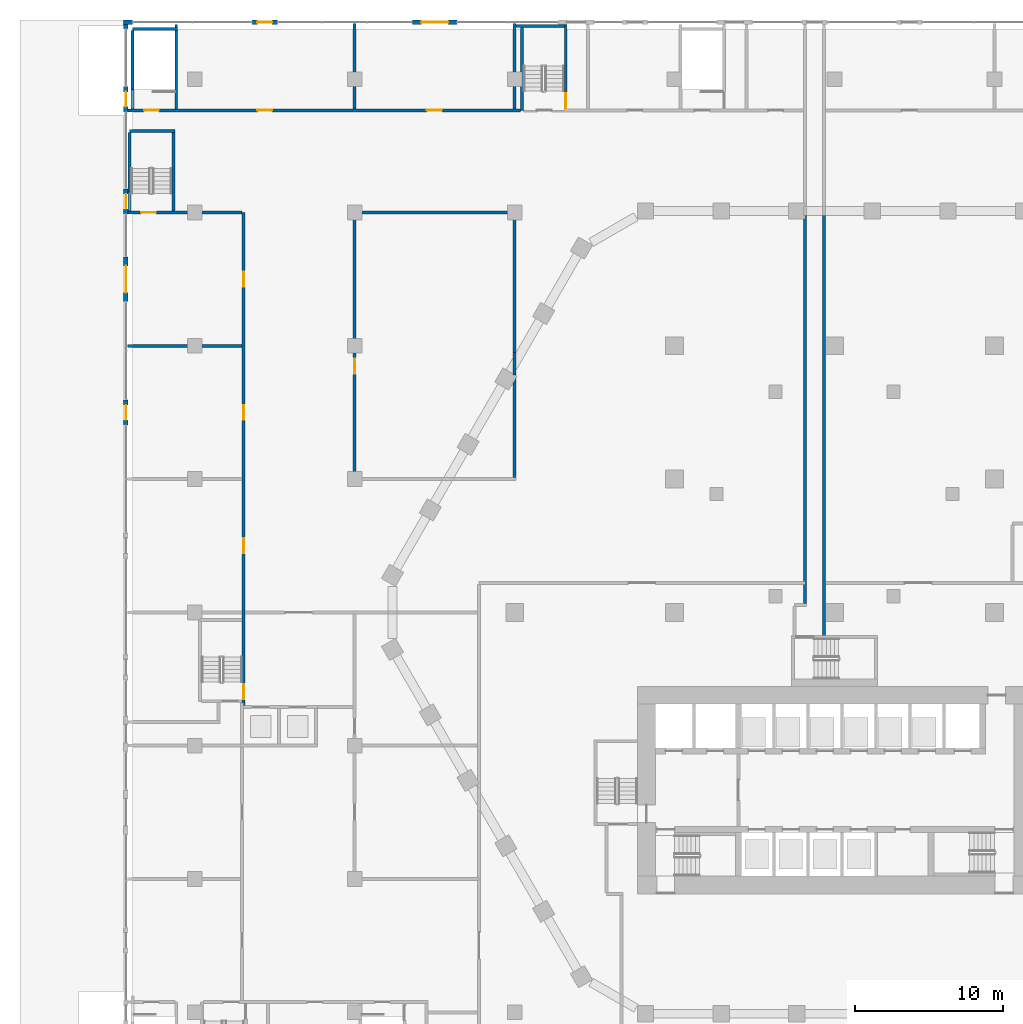
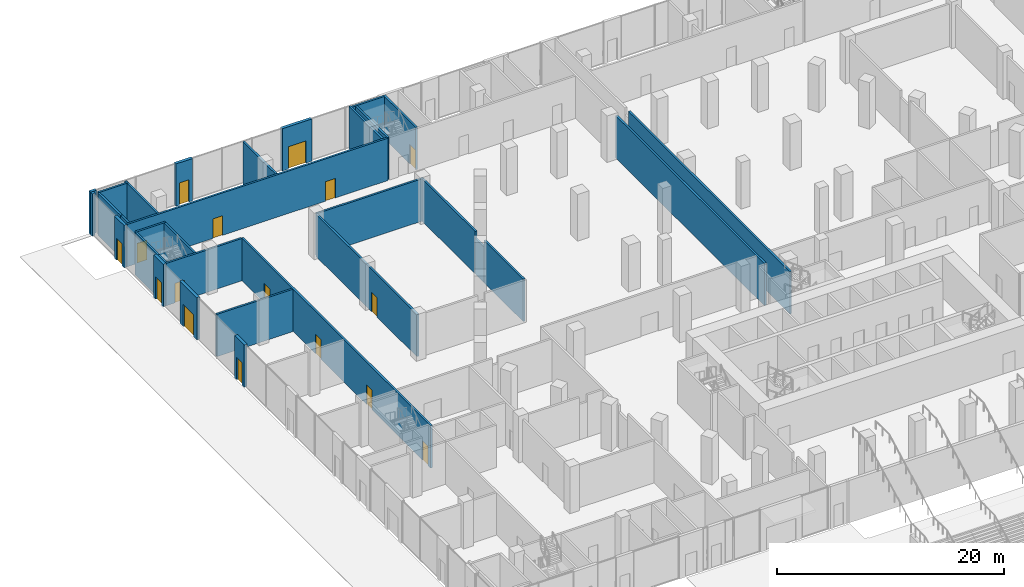
# One storey, part 26 of 57: 32 walls, 16 doors, 16 openings.
"""IFC4 building model written with IfcOpenShell, lengths in metres."""

from ifc_helpers import new_model, si_unit, direction, frame, frame_2d, origin, place, context, subcontext, project, spatial, rectangle, extrude, material, layer, layer_set, type_object, element, fill, save


model = new_model("IFC4")

# Units and contexts
model_context = context("Model", 3, precision=1e-05, world=origin(), true_north=direction((0.0, 1.0)))
body_context = subcontext(model_context, "Body", "Model", "MODEL_VIEW")
ifc_project = project(units=[si_unit("LENGTHUNIT", "METRE"), si_unit("AREAUNIT", "SQUARE_METRE"), si_unit("VOLUMEUNIT", "CUBIC_METRE"), si_unit("PLANEANGLEUNIT", "RADIAN"), si_unit("MASSUNIT", "GRAM", prefix="KILO")], contexts=[model_context])

# Site, building, storey
site_placement = place(None, origin())
site = spatial("IfcSite", under=ifc_project, at=site_placement, CompositionType="ELEMENT")
building_placement = place(site_placement, origin())
building = spatial("IfcBuilding", under=site, at=building_placement, Name="Beryl Residences", CompositionType="ELEMENT")
storey_placement = place(building_placement, origin())
storey = spatial("IfcBuildingStorey", under=building, at=storey_placement, Name="L00", CompositionType="ELEMENT", Elevation=0.0)

# Walls
ifc_material_1 = material(Name="Composite metal panel with mineral wool insulation")
ifc_layer_1 = layer(ifc_material_1, 0.300048828125)
ifc_layer_set_1 = layer_set([ifc_layer_1], Name="ES1 pale metal composite panel wall 300 mm")
wall_type_1 = type_object("IfcWallType", Name="ES1 pale metal composite panel wall 300 mm", PredefinedType="SOLIDWALL", material=ifc_layer_set_1)
wall_1_placement = place(storey_placement, frame((-47.39990234375, 39.85009765625, 0.0), z_axis=(0.0, 0.0, 1.0), x_axis=(-1.0, 0.0, 0.0)))
element("IfcWall", 1, at=wall_1_placement, inside=storey, type_object=wall_type_1, Name="ES1 external wall L00 N 25", PredefinedType="SOLIDWALL", context=body_context, shape_type="SweptSolid", body=[
    extrude(rectangle(XDim=0.60009765625, YDim=0.300048828125, at=frame_2d((0.300048828125, 0.0))), origin(), (0.0, 0.0, 1.0), 4.550048828125),
])
wall_2_placement = place(storey_placement, frame((-47.85009765625, 39.699951171875, 0.0), z_axis=(0.0, 0.0, 1.0), x_axis=(0.0, -1.0, 0.0)))
element("IfcWall", 2, at=wall_2_placement, inside=storey, type_object=wall_type_1, Name="ES1 external wall L00 W 1", PredefinedType="SOLIDWALL", context=body_context, shape_type="SweptSolid", body=[
    extrude(rectangle(XDim=0.300048828125, YDim=0.300048828125, at=frame_2d((0.14990234375, 0.0))), origin(), (0.0, 0.0, 1.0), 4.550048828125),
])

# Wall, opening, door
wall_3_placement = place(storey_placement, frame((-47.85009765625, 35.5, 0.0), z_axis=(0.0, 0.0, 1.0), x_axis=(0.0, -1.0, 0.0)))
wall_3 = element("IfcWall", 3, at=wall_3_placement, inside=storey, type_object=wall_type_1, Name="ES1 entrance wall L00 W", PredefinedType="SOLIDWALL", context=body_context, shape_type="SweptSolid", body=[
    extrude(rectangle(XDim=1.699951171875, YDim=0.300048828125, at=frame_2d((0.85009765625, 0.0))), origin(), (0.0, 0.0, 1.0), 4.550048828125),
])
opening_1_placement = place(wall_3_placement, frame((1.35009765625, 0.0, 0.0), z_axis=(0.0, 0.0, 1.0), x_axis=(-1.0, 0.0, 0.0)))
opening_1 = element("IfcOpeningElement", 4, at=opening_1_placement, cuts=wall_3, Name="Opening XD2", PredefinedType="OPENING", context=body_context, shape_type="SweptSolid", body=[
    extrude(rectangle(XDim=1.0, YDim=2.39990234375, at=frame_2d((0.5, 1.199951171875))), frame((0.0, 0.159912109375, 0.0), z_axis=(0.0, -1.0, 0.0), x_axis=(1.0, 0.0, 0.0)), (0.0, 0.0, 1.0), 0.320068359375),
])
ifc_material_2 = material(Name="Galvanised steel", Category="steel")
door_type_1 = type_object("IfcDoorType", Name="XD2 exit door 1000 x 2400 mm", OperationType="SINGLE_SWING_RIGHT", PredefinedType="DOOR", material=ifc_material_2)
door_1_placement = place(opening_1_placement, origin())
door_1 = element("IfcDoor", 5, at=door_1_placement, inside=storey, type_object=door_type_1, Name="XD2 exit door L00 W", OperationType="SINGLE_SWING_RIGHT", OverallHeight=2.39990234375, OverallWidth=1.0, PredefinedType="DOOR", context=body_context, shape_type="SweptSolid", body=[
    extrude(rectangle(XDim=1.0, YDim=2.39990234375, at=frame_2d((0.5, 1.199951171875))), frame((0.0, 0.02490234375, 0.0), z_axis=(0.0, -1.0, 0.0), x_axis=(1.0, 0.0, 0.0)), (0.0, 0.0, 1.0), 0.050048828125),
])
fill(opening_1, door_1)

wall_4_placement = place(storey_placement, frame((-47.85009765625, 28.60009765625, 0.0), z_axis=(0.0, 0.0, 1.0), x_axis=(0.0, -1.0, 0.0)))
wall_4 = element("IfcWall", 6, at=wall_4_placement, inside=storey, type_object=wall_type_1, Name="ES1 entrance wall L00 W", PredefinedType="SOLIDWALL", context=body_context, shape_type="SweptSolid", body=[
    extrude(rectangle(XDim=1.7001953125, YDim=0.300048828125, at=frame_2d((0.85009765625, 0.0))), origin(), (0.0, 0.0, 1.0), 4.550048828125),
])
opening_2_placement = place(wall_4_placement, frame((1.35009765625, 0.0, 0.0), z_axis=(0.0, 0.0, 1.0), x_axis=(-1.0, 0.0, 0.0)))
opening_2 = element("IfcOpeningElement", 7, at=opening_2_placement, cuts=wall_4, Name="Opening XD2", PredefinedType="OPENING", context=body_context, shape_type="SweptSolid", body=[
    extrude(rectangle(XDim=1.0, YDim=2.39990234375, at=frame_2d((0.5, 1.199951171875))), frame((0.0, 0.159912109375, 0.0), z_axis=(0.0, -1.0, 0.0), x_axis=(1.0, 0.0, 0.0)), (0.0, 0.0, 1.0), 0.320068359375),
])
door_2_placement = place(opening_2_placement, origin())
door_2 = element("IfcDoor", 8, at=door_2_placement, inside=storey, type_object=door_type_1, Name="XD2 exit door L00 W", OperationType="SINGLE_SWING_RIGHT", OverallHeight=2.39990234375, OverallWidth=1.0, PredefinedType="DOOR", context=body_context, shape_type="SweptSolid", body=[
    extrude(rectangle(XDim=1.0, YDim=2.39990234375, at=frame_2d((0.5, 1.199951171875))), frame((0.0, 0.02490234375, 0.0), z_axis=(0.0, -1.0, 0.0), x_axis=(1.0, 0.0, 0.0)), (0.0, 0.0, 1.0), 0.050048828125),
])
fill(opening_2, door_2)

ifc_material_3 = material(Name="Aluminium framed insulated wall", Category="aluminium")
ifc_layer_2 = layer(ifc_material_3, 0.14990234375)
ifc_layer_set_2 = layer_set([ifc_layer_2], Name="GW1 glazed door wall 150 mm")
wall_type_2 = type_object("IfcWallType", Name="GW1 glazed door wall 150 mm", PredefinedType="SOLIDWALL", material=ifc_layer_set_2)
wall_5_placement = place(storey_placement, frame((-25.5, 39.85009765625, 0.0), z_axis=(0.0, 0.0, 1.0), x_axis=(-1.0, 0.0, 0.0)))
wall_5 = element("IfcWall", 9, at=wall_5_placement, inside=storey, type_object=wall_type_2, Name="GW1 shopfront door wall L00 N", PredefinedType="SOLIDWALL", context=body_context, shape_type="SweptSolid", body=[
    extrude(rectangle(XDim=3.0, YDim=0.300048828125, at=frame_2d((1.5, 0.0))), origin(), (0.0, 0.0, 1.0), 4.550048828125),
])
opening_3_placement = place(wall_5_placement, frame((2.400146484375, 0.0, 0.0), z_axis=(0.0, 0.0, 1.0), x_axis=(-1.0, 0.0, 0.0)))
opening_3 = element("IfcOpeningElement", 10, at=opening_3_placement, cuts=wall_5, Name="Opening ED3", PredefinedType="OPENING", context=body_context, shape_type="SweptSolid", body=[
    extrude(rectangle(XDim=1.800048828125, YDim=2.39990234375, at=frame_2d((0.89990234375, 1.199951171875))), frame((0.0, 0.159912109375, 0.0), z_axis=(0.0, -1.0, 0.0), x_axis=(1.0, 0.0, 0.0)), (0.0, 0.0, 1.0), 0.320068359375),
])
ifc_material_4 = material(Name="Aluminium and clear glass", Category="aluminium")
door_type_2 = type_object("IfcDoorType", Name="ED3 shopfront door 1800 x 2400 mm", OperationType="DOUBLE_DOOR_DOUBLE_SWING", PredefinedType="DOOR", material=ifc_material_4)
door_3_placement = place(opening_3_placement, origin())
door_3 = element("IfcDoor", 11, at=door_3_placement, inside=storey, type_object=door_type_2, Name="ED3 shop door L00 N", OperationType="DOUBLE_DOOR_DOUBLE_SWING", OverallHeight=2.39990234375, OverallWidth=1.800048828125, PredefinedType="DOOR", context=body_context, shape_type="SweptSolid", body=[
    extrude(rectangle(XDim=1.800048828125, YDim=2.39990234375, at=frame_2d((0.89990234375, 1.199951171875))), frame((0.0, 0.02490234375, 0.0), z_axis=(0.0, -1.0, 0.0), x_axis=(1.0, 0.0, 0.0)), (0.0, 0.0, 1.0), 0.050048828125),
])
fill(opening_3, door_3)

wall_6_placement = place(storey_placement, frame((-37.625, 39.85009765625, 0.0), z_axis=(0.0, 0.0, 1.0), x_axis=(-1.0, 0.0, 0.0)))
wall_6 = element("IfcWall", 12, at=wall_6_placement, inside=storey, type_object=wall_type_2, Name="GW1 shopfront door wall L00 N", PredefinedType="SOLIDWALL", context=body_context, shape_type="SweptSolid", body=[
    extrude(rectangle(XDim=1.699951171875, YDim=0.300048828125, at=frame_2d((0.85009765625, 0.0))), origin(), (0.0, 0.0, 1.0), 4.550048828125),
])
opening_4_placement = place(wall_6_placement, frame((1.35009765625, 0.0, 0.0), z_axis=(0.0, 0.0, 1.0), x_axis=(-1.0, 0.0, 0.0)))
opening_4 = element("IfcOpeningElement", 13, at=opening_4_placement, cuts=wall_6, Name="Opening ED4", PredefinedType="OPENING", context=body_context, shape_type="SweptSolid", body=[
    extrude(rectangle(XDim=1.0, YDim=2.39990234375, at=frame_2d((0.5, 1.199951171875))), frame((0.0, 0.159912109375, 0.0), z_axis=(0.0, -1.0, 0.0), x_axis=(1.0, 0.0, 0.0)), (0.0, 0.0, 1.0), 0.320068359375),
])
ifc_material_5 = material(Name="Aluminium and clear glass", Category="aluminium")
door_type_3 = type_object("IfcDoorType", Name="ED4 street door 1000 x 2400 mm", OperationType="SINGLE_SWING_RIGHT", PredefinedType="DOOR", material=ifc_material_5)
door_4_placement = place(opening_4_placement, origin())
door_4 = element("IfcDoor", 14, at=door_4_placement, inside=storey, type_object=door_type_3, Name="ED4 street door L00 N", OperationType="SINGLE_SWING_RIGHT", OverallHeight=2.39990234375, OverallWidth=1.0, PredefinedType="DOOR", context=body_context, shape_type="SweptSolid", body=[
    extrude(rectangle(XDim=1.0, YDim=2.39990234375, at=frame_2d((0.5, 1.199951171875))), frame((0.0, 0.02490234375, 0.0), z_axis=(0.0, -1.0, 0.0), x_axis=(1.0, 0.0, 0.0)), (0.0, 0.0, 1.0), 0.050048828125),
])
fill(opening_4, door_4)

wall_7_placement = place(storey_placement, frame((-47.85009765625, 24.0, 0.0), z_axis=(0.0, 0.0, 1.0), x_axis=(0.0, -1.0, 0.0)))
wall_7 = element("IfcWall", 15, at=wall_7_placement, inside=storey, type_object=wall_type_2, Name="GW1 shopfront door wall L00 W", PredefinedType="SOLIDWALL", context=body_context, shape_type="SweptSolid", body=[
    extrude(rectangle(XDim=3.0, YDim=0.300048828125, at=frame_2d((1.5, 0.0))), origin(), (0.0, 0.0, 1.0), 4.550048828125),
])
opening_5_placement = place(wall_7_placement, frame((2.400146484375, 0.0, 0.0), z_axis=(0.0, 0.0, 1.0), x_axis=(-1.0, 0.0, 0.0)))
opening_5 = element("IfcOpeningElement", 16, at=opening_5_placement, cuts=wall_7, Name="Opening ED3", PredefinedType="OPENING", context=body_context, shape_type="SweptSolid", body=[
    extrude(rectangle(XDim=1.800048828125, YDim=2.39990234375, at=frame_2d((0.89990234375, 1.199951171875))), frame((0.0, 0.159912109375, 0.0), z_axis=(0.0, -1.0, 0.0), x_axis=(1.0, 0.0, 0.0)), (0.0, 0.0, 1.0), 0.320068359375),
])
door_5_placement = place(opening_5_placement, origin())
door_5 = element("IfcDoor", 17, at=door_5_placement, inside=storey, type_object=door_type_2, Name="ED3 shop door L00 W", OperationType="DOUBLE_DOOR_DOUBLE_SWING", OverallHeight=2.39990234375, OverallWidth=1.800048828125, PredefinedType="DOOR", context=body_context, shape_type="SweptSolid", body=[
    extrude(rectangle(XDim=1.800048828125, YDim=2.39990234375, at=frame_2d((0.89990234375, 1.199951171875))), frame((0.0, 0.02490234375, 0.0), z_axis=(0.0, -1.0, 0.0), x_axis=(1.0, 0.0, 0.0)), (0.0, 0.0, 1.0), 0.050048828125),
])
fill(opening_5, door_5)

wall_8_placement = place(storey_placement, frame((-47.85009765625, 14.35009765625, 0.0), z_axis=(0.0, 0.0, 1.0), x_axis=(0.0, -1.0, 0.0)))
wall_8 = element("IfcWall", 18, at=wall_8_placement, inside=storey, type_object=wall_type_2, Name="GW1 shopfront door wall L00 W", PredefinedType="SOLIDWALL", context=body_context, shape_type="SweptSolid", body=[
    extrude(rectangle(XDim=1.7001953125, YDim=0.300048828125, at=frame_2d((0.85009765625, 0.0))), origin(), (0.0, 0.0, 1.0), 4.550048828125),
])
opening_6_placement = place(wall_8_placement, frame((1.35009765625, 0.0, 0.0), z_axis=(0.0, 0.0, 1.0), x_axis=(-1.0, 0.0, 0.0)))
opening_6 = element("IfcOpeningElement", 19, at=opening_6_placement, cuts=wall_8, Name="Opening ED4", PredefinedType="OPENING", context=body_context, shape_type="SweptSolid", body=[
    extrude(rectangle(XDim=1.0, YDim=2.39990234375, at=frame_2d((0.5, 1.199951171875))), frame((0.0, 0.159912109375, 0.0), z_axis=(0.0, -1.0, 0.0), x_axis=(1.0, 0.0, 0.0)), (0.0, 0.0, 1.0), 0.320068359375),
])
door_6_placement = place(opening_6_placement, origin())
door_6 = element("IfcDoor", 20, at=door_6_placement, inside=storey, type_object=door_type_3, Name="ED4 street door L00 W", OperationType="SINGLE_SWING_RIGHT", OverallHeight=2.39990234375, OverallWidth=1.0, PredefinedType="DOOR", context=body_context, shape_type="SweptSolid", body=[
    extrude(rectangle(XDim=1.0, YDim=2.39990234375, at=frame_2d((0.5, 1.199951171875))), frame((0.0, 0.02490234375, 0.0), z_axis=(0.0, -1.0, 0.0), x_axis=(1.0, 0.0, 0.0)), (0.0, 0.0, 1.0), 0.050048828125),
])
fill(opening_6, door_6)

# Walls
ifc_material_6 = material(Name="Double stud gypsum board wall")
ifc_layer_3 = layer(ifc_material_6, 0.199951171875)
ifc_layer_set_3 = layer_set([ifc_layer_3], Name="PT10 tenancy wall 200 mm")
wall_type_3 = type_object("IfcWallType", Name="PT10 tenancy wall 200 mm", PredefinedType="PARTITIONING", material=ifc_layer_set_3)
wall_9_placement = place(storey_placement, frame((-47.75, 18.0, 0.0), z_axis=(0.0, 0.0, 1.0), x_axis=(1.0, 0.0, 0.0)))
element("IfcWall", 21, at=wall_9_placement, inside=storey, type_object=wall_type_3, Name="Wall PT10 L00 017", PredefinedType="PARTITIONING", context=body_context, shape_type="SweptSolid", body=[
    extrude(rectangle(XDim=7.75, YDim=0.199951171875, at=frame_2d((3.875, 0.0))), origin(), (0.0, 0.0, 1.0), 4.550048828125),
])
wall_10_placement = place(storey_placement, frame((-32.39990234375, 27.0, 0.0), z_axis=(0.0, 0.0, 1.0), x_axis=(1.0, 0.0, 0.0)))
element("IfcWall", 22, at=wall_10_placement, inside=storey, type_object=wall_type_3, Name="Wall PT10 L00 018", PredefinedType="PARTITIONING", context=body_context, shape_type="SweptSolid", body=[
    extrude(rectangle(XDim=10.89990234375, YDim=0.199951171875, at=frame_2d((5.449951171875, 0.0))), origin(), (0.0, 0.0, 1.0), 4.550048828125),
])

# Wall, opening, door
wall_11_placement = place(storey_placement, frame((-32.39990234375, 9.10009765625, 0.0), z_axis=(0.0, 0.0, 1.0), x_axis=(0.0, 1.0, 0.0)))
wall_11 = element("IfcWall", 23, at=wall_11_placement, inside=storey, type_object=wall_type_3, Name="Wall PT10 L00 021", PredefinedType="PARTITIONING", context=body_context, shape_type="SweptSolid", body=[
    extrude(rectangle(XDim=17.7998046875, YDim=0.199951171875, at=frame_2d((8.89990234375, 0.0))), origin(), (0.0, 0.0, 1.0), 4.550048828125),
])
opening_7_placement = place(wall_11_placement, frame((8.02490234375, 0.0, 0.0), z_axis=(0.0, 0.0, 1.0), x_axis=(-1.0, 0.0, 0.0)))
opening_7 = element("IfcOpeningElement", 24, at=opening_7_placement, cuts=wall_11, Name="Opening L00-31", PredefinedType="OPENING", context=body_context, shape_type="SweptSolid", body=[
    extrude(rectangle(XDim=1.0, YDim=2.10009765625, at=frame_2d((0.5, 1.050048828125))), frame((0.0, 0.10986328125, 0.0), z_axis=(0.0, -1.0, 0.0), x_axis=(1.0, 0.0, 0.0)), (0.0, 0.0, 1.0), 0.219970703125),
])
ifc_material_7 = material(Name="Timber door leaf", Category="wood")
door_type_4 = type_object("IfcDoorType", Name="D9 corridor door 1000 x 2100 mm", OperationType="SINGLE_SWING_LEFT", PredefinedType="DOOR", material=ifc_material_7)
door_7_placement = place(opening_7_placement, origin())
door_7 = element("IfcDoor", 25, at=door_7_placement, inside=storey, type_object=door_type_4, Name="Door L00-31 L00 001", OperationType="SINGLE_SWING_RIGHT", OverallHeight=2.10009765625, OverallWidth=1.0, PredefinedType="DOOR", context=body_context, shape_type="SweptSolid", body=[
    extrude(rectangle(XDim=1.0, YDim=2.10009765625, at=frame_2d((0.5, 1.050048828125))), frame((0.0, 0.02490234375, 0.0), z_axis=(0.0, -1.0, 0.0), x_axis=(1.0, 0.0, 0.0)), (0.0, 0.0, 1.0), 0.050048828125),
])
fill(opening_7, door_7)

# Walls
wall_12_placement = place(storey_placement, frame((-32.39990234375, 34.0, 0.0), z_axis=(0.0, 0.0, 1.0), x_axis=(0.0, 1.0, 0.0)))
element("IfcWall", 26, at=wall_12_placement, inside=storey, type_object=wall_type_3, Name="Wall PT10 L00 022", PredefinedType="PARTITIONING", context=body_context, shape_type="SweptSolid", body=[
    extrude(rectangle(XDim=5.75, YDim=0.199951171875, at=frame_2d((2.875, 0.0))), origin(), (0.0, 0.0, 1.0), 4.550048828125),
])
wall_13_placement = place(storey_placement, frame((-21.60009765625, 9.10009765625, 0.0), z_axis=(0.0, 0.0, 1.0), x_axis=(0.0, 1.0, 0.0)))
element("IfcWall", 27, at=wall_13_placement, inside=storey, type_object=wall_type_3, Name="Wall PT10 L00 023", PredefinedType="PARTITIONING", context=body_context, shape_type="SweptSolid", body=[
    extrude(rectangle(XDim=6.914794921875, YDim=0.199951171875, at=frame_2d((3.45751953125, 0.0))), origin(), (0.0, 0.0, 1.0), 4.550048828125),
])
wall_14_placement = place(storey_placement, frame((-21.60009765625, 16.014892578125, 0.0), z_axis=(0.0, 0.0, 1.0), x_axis=(0.0, 1.0, 0.0)))
element("IfcWall", 28, at=wall_14_placement, inside=storey, type_object=wall_type_3, Name="Wall PT10 L00 024", PredefinedType="PARTITIONING", context=body_context, shape_type="SweptSolid", body=[
    extrude(rectangle(XDim=1.546142578125, YDim=0.199951171875, at=frame_2d((0.77294921875, 0.0))), origin(), (0.0, 0.0, 1.0), 3.820068359375),
])
wall_15_placement = place(storey_placement, frame((-21.60009765625, 17.56103515625, 0.0), z_axis=(0.0, 0.0, 1.0), x_axis=(0.0, 1.0, 0.0)))
element("IfcWall", 29, at=wall_15_placement, inside=storey, type_object=wall_type_3, Name="Wall PT10 L00 025", PredefinedType="PARTITIONING", context=body_context, shape_type="SweptSolid", body=[
    extrude(rectangle(XDim=9.3388671875, YDim=0.199951171875, at=frame_2d((4.66943359375, 0.0))), origin(), (0.0, 0.0, 1.0), 4.550048828125),
])
wall_16_placement = place(storey_placement, frame((-21.60009765625, 34.0, 0.0), z_axis=(0.0, 0.0, 1.0), x_axis=(0.0, 1.0, 0.0)))
element("IfcWall", 30, at=wall_16_placement, inside=storey, type_object=wall_type_3, Name="Wall PT10 L00 026", PredefinedType="PARTITIONING", context=body_context, shape_type="SweptSolid", body=[
    extrude(rectangle(XDim=5.75, YDim=0.199951171875, at=frame_2d((2.875, 0.0))), origin(), (0.0, 0.0, 1.0), 4.550048828125),
])

# Wall, opening, door
ifc_material_8 = material(Name="Concrete C40/50", Category="concrete")
ifc_layer_4 = layer(ifc_material_8, 0.199951171875)
ifc_layer_set_4 = layer_set([ifc_layer_4], Name="PT5 stair enclosure wall 200 mm reinforced concrete C40/50")
wall_type_4 = type_object("IfcWallType", Name="PT5 stair enclosure wall 200 mm reinforced concrete C40/50", PredefinedType="SOLIDWALL", material=ifc_layer_set_4)
wall_17_placement = place(storey_placement, frame((-47.699951171875, 27.0, 0.0), z_axis=(0.0, 0.0, 1.0), x_axis=(1.0, 0.0, 0.0)))
wall_17 = element("IfcWall", 31, at=wall_17_placement, inside=storey, type_object=wall_type_4, Name="Wall PT5 L00 016", PredefinedType="SOLIDWALL", context=body_context, shape_type="SweptSolid", body=[
    extrude(rectangle(XDim=7.699951171875, YDim=0.199951171875, at=frame_2d((3.85009765625, 0.0))), origin(), (0.0, 0.0, 1.0), 4.550048828125),
])
opening_8_placement = place(wall_17_placement, frame((0.875, 0.0, 0.0)))
opening_8 = element("IfcOpeningElement", 32, at=opening_8_placement, cuts=wall_17, Name="Opening L00-42", PredefinedType="OPENING", context=body_context, shape_type="SweptSolid", body=[
    extrude(rectangle(XDim=1.0, YDim=2.10009765625, at=frame_2d((0.5, 1.050048828125))), frame((0.0, 0.10986328125, 0.0), z_axis=(0.0, -1.0, 0.0), x_axis=(1.0, 0.0, 0.0)), (0.0, 0.0, 1.0), 0.219970703125),
])
ifc_material_9 = material(Name="Steel door leaf in steel frame", Category="steel")
door_type_5 = type_object("IfcDoorType", Name="D15 stair door 1000 x 2100 mm", OperationType="SINGLE_SWING_LEFT", PredefinedType="DOOR", material=ifc_material_9)
door_8_placement = place(opening_8_placement, origin())
door_8 = element("IfcDoor", 33, at=door_8_placement, inside=storey, type_object=door_type_5, Name="Door L00-42 L00 001", OperationType="SINGLE_SWING_RIGHT", OverallHeight=2.10009765625, OverallWidth=1.0, PredefinedType="DOOR", context=body_context, shape_type="SweptSolid", body=[
    extrude(rectangle(XDim=1.0, YDim=2.10009765625, at=frame_2d((0.5, 1.050048828125))), frame((0.0, 0.02490234375, 0.0), z_axis=(0.0, -1.0, 0.0), x_axis=(1.0, 0.0, 0.0)), (0.0, 0.0, 1.0), 0.050048828125),
])
fill(opening_8, door_8)

# Wall
wall_18_placement = place(storey_placement, frame((-47.60009765625, 32.5, 0.0), z_axis=(0.0, 0.0, 1.0), x_axis=(1.0, 0.0, 0.0)))
element("IfcWall", 34, at=wall_18_placement, inside=storey, type_object=wall_type_4, Name="Wall PT5 L00 017", PredefinedType="SOLIDWALL", context=body_context, shape_type="SweptSolid", body=[
    extrude(rectangle(XDim=3.050048828125, YDim=0.199951171875, at=frame_2d((1.52490234375, 0.0))), origin(), (0.0, 0.0, 1.0), 4.550048828125),
])

# Wall, openings, doors
wall_19_placement = place(storey_placement, frame((-47.699951171875, 33.89990234375, 0.0), z_axis=(0.0, 0.0, 1.0), x_axis=(1.0, 0.0, 0.0)))
wall_19 = element("IfcWall", 35, at=wall_19_placement, inside=storey, type_object=wall_type_4, Name="Wall PT5 L00 018", PredefinedType="SOLIDWALL", context=body_context, shape_type="SweptSolid", body=[
    extrude(rectangle(XDim=26.5, YDim=0.199951171875, at=frame_2d((13.25, 0.0))), origin(), (0.0, 0.0, 1.0), 4.550048828125),
])
opening_9_placement = place(wall_19_placement, frame((8.72509765625, 0.0, 0.0)))
opening_9 = element("IfcOpeningElement", 36, at=opening_9_placement, cuts=wall_19, Name="Opening L00-19", PredefinedType="OPENING", context=body_context, shape_type="SweptSolid", body=[
    extrude(rectangle(XDim=1.0, YDim=2.10009765625, at=frame_2d((0.5, 1.050048828125))), frame((0.0, 0.10986328125, 0.0), z_axis=(0.0, -1.0, 0.0), x_axis=(1.0, 0.0, 0.0)), (0.0, 0.0, 1.0), 0.219970703125),
])
opening_10_placement = place(wall_19_placement, frame((20.178955078125, 0.0, 0.0)))
opening_10 = element("IfcOpeningElement", 37, at=opening_10_placement, cuts=wall_19, Name="Opening L00-20", PredefinedType="OPENING", context=body_context, shape_type="SweptSolid", body=[
    extrude(rectangle(XDim=1.0, YDim=2.10009765625, at=frame_2d((0.5, 1.050048828125))), frame((0.0, 0.10986328125, 0.0), z_axis=(0.0, -1.0, 0.0), x_axis=(1.0, 0.0, 0.0)), (0.0, 0.0, 1.0), 0.219970703125),
])
opening_11_placement = place(wall_19_placement, frame((1.074951171875, 0.0, 0.0)))
opening_11 = element("IfcOpeningElement", 38, at=opening_11_placement, cuts=wall_19, Name="Opening L00-39", PredefinedType="OPENING", context=body_context, shape_type="SweptSolid", body=[
    extrude(rectangle(XDim=1.0, YDim=2.10009765625, at=frame_2d((0.5, 1.050048828125))), frame((0.0, 0.10986328125, 0.0), z_axis=(0.0, -1.0, 0.0), x_axis=(1.0, 0.0, 0.0)), (0.0, 0.0, 1.0), 0.219970703125),
])
door_9_placement = place(opening_11_placement, origin())
door_9 = element("IfcDoor", 39, at=door_9_placement, inside=storey, type_object=door_type_5, Name="Door L00-39 L00 001", OperationType="SINGLE_SWING_LEFT", OverallHeight=2.10009765625, OverallWidth=1.0, PredefinedType="DOOR", context=body_context, shape_type="SweptSolid", body=[
    extrude(rectangle(XDim=1.0, YDim=2.10009765625, at=frame_2d((0.5, 1.050048828125))), frame((0.0, 0.02490234375, 0.0), z_axis=(0.0, -1.0, 0.0), x_axis=(1.0, 0.0, 0.0)), (0.0, 0.0, 1.0), 0.050048828125),
])
fill(opening_11, door_9)
door_10_placement = place(opening_9_placement, origin())
door_10 = element("IfcDoor", 40, at=door_10_placement, inside=storey, type_object=door_type_4, Name="Door L00-19 L00 001", OperationType="SINGLE_SWING_LEFT", OverallHeight=2.10009765625, OverallWidth=1.0, PredefinedType="DOOR", context=body_context, shape_type="SweptSolid", body=[
    extrude(rectangle(XDim=1.0, YDim=2.10009765625, at=frame_2d((0.5, 1.050048828125))), frame((0.0, 0.02490234375, 0.0), z_axis=(0.0, -1.0, 0.0), x_axis=(1.0, 0.0, 0.0)), (0.0, 0.0, 1.0), 0.050048828125),
])
fill(opening_9, door_10)
door_11_placement = place(opening_10_placement, origin())
door_11 = element("IfcDoor", 41, at=door_11_placement, inside=storey, type_object=door_type_4, Name="Door L00-20 L00 001", OperationType="SINGLE_SWING_RIGHT", OverallHeight=2.10009765625, OverallWidth=1.0, PredefinedType="DOOR", context=body_context, shape_type="SweptSolid", body=[
    extrude(rectangle(XDim=1.0, YDim=2.10009765625, at=frame_2d((0.5, 1.050048828125))), frame((0.0, 0.02490234375, 0.0), z_axis=(0.0, -1.0, 0.0), x_axis=(1.0, 0.0, 0.0)), (0.0, 0.0, 1.0), 0.050048828125),
])
fill(opening_10, door_11)

# Walls
wall_20_placement = place(storey_placement, frame((-44.64990234375, 27.10009765625, 0.0), z_axis=(0.0, 0.0, 1.0), x_axis=(0.0, 1.0, 0.0)))
element("IfcWall", 42, at=wall_20_placement, inside=storey, type_object=wall_type_4, Name="Wall PT5 L00 022", PredefinedType="SOLIDWALL", context=body_context, shape_type="SweptSolid", body=[
    extrude(rectangle(XDim=5.2998046875, YDim=0.199951171875, at=frame_2d((2.64990234375, 0.0))), origin(), (0.0, 0.0, 1.0), 4.550048828125),
])
wall_21_placement = place(storey_placement, frame((-44.449951171875, 34.0, 0.0), z_axis=(0.0, 0.0, 1.0), x_axis=(0.0, 1.0, 0.0)))
element("IfcWall", 43, at=wall_21_placement, inside=storey, type_object=wall_type_4, Name="Wall PT5 L00 024", PredefinedType="SOLIDWALL", context=body_context, shape_type="SweptSolid", body=[
    extrude(rectangle(XDim=5.699951171875, YDim=0.199951171875, at=frame_2d((2.85009765625, 0.0))), origin(), (0.0, 0.0, 1.0), 4.550048828125),
])

# Wall, openings, doors
wall_22_placement = place(storey_placement, frame((-39.89990234375, -6.300048828125, 0.0), z_axis=(0.0, 0.0, 1.0), x_axis=(0.0, 1.0, 0.0)))
wall_22 = element("IfcWall", 44, at=wall_22_placement, inside=storey, type_object=wall_type_4, Name="Wall PT5 L00 028", PredefinedType="SOLIDWALL", context=body_context, shape_type="SweptSolid", body=[
    extrude(rectangle(XDim=33.300048828125, YDim=0.199951171875, at=frame_2d((16.64990234375, 0.0))), origin(), (0.0, 0.0, 1.0), 4.550048828125),
])
opening_12_placement = place(wall_22_placement, frame((10.302001953125, 0.0, 0.0)))
opening_12 = element("IfcOpeningElement", 45, at=opening_12_placement, cuts=wall_22, Name="Opening L00-14", PredefinedType="OPENING", context=body_context, shape_type="SweptSolid", body=[
    extrude(rectangle(XDim=1.0, YDim=2.10009765625, at=frame_2d((0.5, 1.050048828125))), frame((0.0, 0.10986328125, 0.0), z_axis=(0.0, -1.0, 0.0), x_axis=(1.0, 0.0, 0.0)), (0.0, 0.0, 1.0), 0.219970703125),
])
opening_13_placement = place(wall_22_placement, frame((19.300048828125, 0.0, 0.0)))
opening_13 = element("IfcOpeningElement", 46, at=opening_13_placement, cuts=wall_22, Name="Opening L00-15", PredefinedType="OPENING", context=body_context, shape_type="SweptSolid", body=[
    extrude(rectangle(XDim=1.0, YDim=2.10009765625, at=frame_2d((0.5, 1.050048828125))), frame((0.0, 0.10986328125, 0.0), z_axis=(0.0, -1.0, 0.0), x_axis=(1.0, 0.0, 0.0)), (0.0, 0.0, 1.0), 0.219970703125),
])
opening_14_placement = place(wall_22_placement, frame((28.298095703125, 0.0, 0.0)))
opening_14 = element("IfcOpeningElement", 47, at=opening_14_placement, cuts=wall_22, Name="Opening L00-16", PredefinedType="OPENING", context=body_context, shape_type="SweptSolid", body=[
    extrude(rectangle(XDim=1.0, YDim=2.10009765625, at=frame_2d((0.5, 1.050048828125))), frame((0.0, 0.10986328125, 0.0), z_axis=(0.0, -1.0, 0.0), x_axis=(1.0, 0.0, 0.0)), (0.0, 0.0, 1.0), 0.219970703125),
])
opening_15_placement = place(wall_22_placement, frame((1.449951171875, 0.0, 0.0), z_axis=(0.0, 0.0, 1.0), x_axis=(-1.0, 0.0, 0.0)))
opening_15 = element("IfcOpeningElement", 48, at=opening_15_placement, cuts=wall_22, Name="Opening L00-17", PredefinedType="OPENING", context=body_context, shape_type="SweptSolid", body=[
    extrude(rectangle(XDim=1.0, YDim=2.10009765625, at=frame_2d((0.5, 1.050048828125))), frame((0.0, 0.10986328125, 0.0), z_axis=(0.0, -1.0, 0.0), x_axis=(1.0, 0.0, 0.0)), (0.0, 0.0, 1.0), 0.219970703125),
])
door_12_placement = place(opening_15_placement, origin())
door_12 = element("IfcDoor", 49, at=door_12_placement, inside=storey, type_object=door_type_5, Name="Door L00-17 L00 001", OperationType="SINGLE_SWING_RIGHT", OverallHeight=2.10009765625, OverallWidth=1.0, PredefinedType="DOOR", context=body_context, shape_type="SweptSolid", body=[
    extrude(rectangle(XDim=1.0, YDim=2.10009765625, at=frame_2d((0.5, 1.050048828125))), frame((0.0, 0.02490234375, 0.0), z_axis=(0.0, -1.0, 0.0), x_axis=(1.0, 0.0, 0.0)), (0.0, 0.0, 1.0), 0.050048828125),
])
fill(opening_15, door_12)
door_13_placement = place(opening_12_placement, origin())
door_13 = element("IfcDoor", 50, at=door_13_placement, inside=storey, type_object=door_type_4, Name="Door L00-14 L00 001", OperationType="SINGLE_SWING_RIGHT", OverallHeight=2.10009765625, OverallWidth=1.0, PredefinedType="DOOR", context=body_context, shape_type="SweptSolid", body=[
    extrude(rectangle(XDim=1.0, YDim=2.10009765625, at=frame_2d((0.5, 1.050048828125))), frame((0.0, 0.02490234375, 0.0), z_axis=(0.0, -1.0, 0.0), x_axis=(1.0, 0.0, 0.0)), (0.0, 0.0, 1.0), 0.050048828125),
])
fill(opening_12, door_13)
door_14_placement = place(opening_13_placement, origin())
door_14 = element("IfcDoor", 51, at=door_14_placement, inside=storey, type_object=door_type_4, Name="Door L00-15 L00 001", OperationType="SINGLE_SWING_LEFT", OverallHeight=2.10009765625, OverallWidth=1.0, PredefinedType="DOOR", context=body_context, shape_type="SweptSolid", body=[
    extrude(rectangle(XDim=1.0, YDim=2.10009765625, at=frame_2d((0.5, 1.050048828125))), frame((0.0, 0.02490234375, 0.0), z_axis=(0.0, -1.0, 0.0), x_axis=(1.0, 0.0, 0.0)), (0.0, 0.0, 1.0), 0.050048828125),
])
fill(opening_13, door_14)
door_15_placement = place(opening_14_placement, origin())
door_15 = element("IfcDoor", 52, at=door_15_placement, inside=storey, type_object=door_type_4, Name="Door L00-16 L00 001", OperationType="SINGLE_SWING_RIGHT", OverallHeight=2.10009765625, OverallWidth=1.0, PredefinedType="DOOR", context=body_context, shape_type="SweptSolid", body=[
    extrude(rectangle(XDim=1.0, YDim=2.10009765625, at=frame_2d((0.5, 1.050048828125))), frame((0.0, 0.02490234375, 0.0), z_axis=(0.0, -1.0, 0.0), x_axis=(1.0, 0.0, 0.0)), (0.0, 0.0, 1.0), 0.050048828125),
])
fill(opening_14, door_15)

# Wall
wall_23_placement = place(storey_placement, frame((-21.10009765625, 33.89990234375, 0.0), z_axis=(0.0, 0.0, 1.0), x_axis=(0.0, 1.0, 0.0)))
element("IfcWall", 53, at=wall_23_placement, inside=storey, type_object=wall_type_4, Name="Wall PT5 L00 034", PredefinedType="SOLIDWALL", context=body_context, shape_type="SweptSolid", body=[
    extrude(rectangle(XDim=5.800048828125, YDim=0.199951171875, at=frame_2d((2.89990234375, 0.0))), origin(), (0.0, 0.0, 1.0), 4.550048828125),
])

# Wall, opening, door
wall_24_placement = place(storey_placement, frame((-18.14990234375, 34.0, 0.0), z_axis=(0.0, 0.0, 1.0), x_axis=(0.0, 1.0, 0.0)))
wall_24 = element("IfcWall", 54, at=wall_24_placement, inside=storey, type_object=wall_type_4, Name="Wall PT5 L00 035", PredefinedType="SOLIDWALL", context=body_context, shape_type="SweptSolid", body=[
    extrude(rectangle(XDim=5.699951171875, YDim=0.199951171875, at=frame_2d((2.85009765625, 0.0))), origin(), (0.0, 0.0, 1.0), 4.550048828125),
])
opening_16_placement = place(wall_24_placement, frame((1.050048828125, 0.0, 0.0), z_axis=(0.0, 0.0, 1.0), x_axis=(-1.0, 0.0, 0.0)))
opening_16 = element("IfcOpeningElement", 55, at=opening_16_placement, cuts=wall_24, Name="Opening L00-53", PredefinedType="OPENING", context=body_context, shape_type="SweptSolid", body=[
    extrude(rectangle(XDim=1.0, YDim=2.10009765625, at=frame_2d((0.5, 1.050048828125))), frame((0.0, 0.10986328125, 0.0), z_axis=(0.0, -1.0, 0.0), x_axis=(1.0, 0.0, 0.0)), (0.0, 0.0, 1.0), 0.219970703125),
])
door_16_placement = place(opening_16_placement, origin())
door_16 = element("IfcDoor", 56, at=door_16_placement, inside=storey, type_object=door_type_5, Name="Door L00-53 L00 001", OperationType="SINGLE_SWING_RIGHT", OverallHeight=2.10009765625, OverallWidth=1.0, PredefinedType="DOOR", context=body_context, shape_type="SweptSolid", body=[
    extrude(rectangle(XDim=1.0, YDim=2.10009765625, at=frame_2d((0.5, 1.050048828125))), frame((0.0, 0.02490234375, 0.0), z_axis=(0.0, -1.0, 0.0), x_axis=(1.0, 0.0, 0.0)), (0.0, 0.0, 1.0), 0.050048828125),
])
fill(opening_16, door_16)

# Walls
wall_25_placement = place(storey_placement, frame((-2.0, 0.60009765625, 0.0), z_axis=(0.0, 0.0, 1.0), x_axis=(0.0, 1.0, 0.0)))
element("IfcWall", 57, at=wall_25_placement, inside=storey, type_object=wall_type_4, Name="Wall PT5 L00 045", PredefinedType="SOLIDWALL", context=body_context, shape_type="SweptSolid", body=[
    extrude(rectangle(XDim=26.199951171875, YDim=0.199951171875, at=frame_2d((13.10009765625, 0.0))), origin(), (0.0, 0.0, 1.0), 4.550048828125),
])
wall_26_placement = place(storey_placement, frame((-0.699951171875, -1.6298828125, 0.0), z_axis=(0.0, 0.0, 1.0), x_axis=(0.0, 1.0, 0.0)))
element("IfcWall", 58, at=wall_26_placement, inside=storey, type_object=wall_type_4, Name="Wall PT5 L00 048", PredefinedType="SOLIDWALL", context=body_context, shape_type="SweptSolid", body=[
    extrude(rectangle(XDim=28.429931640625, YDim=0.199951171875, at=frame_2d((14.21484375, 0.0))), origin(), (0.0, 0.0, 1.0), 4.550048828125),
])
wall_27_placement = place(storey_placement, frame((-47.39990234375, 35.300048828125, 0.0), z_axis=(0.0, 0.0, 1.0), x_axis=(0.0, 1.0, 0.0)))
element("IfcWall", 59, at=wall_27_placement, inside=storey, type_object=wall_type_4, Name="Wall PT5 L00 062", PredefinedType="SOLIDWALL", context=body_context, shape_type="SweptSolid", body=[
    extrude(rectangle(XDim=4.0, YDim=0.199951171875, at=frame_2d((2.0, 0.0))), origin(), (0.0, 0.0, 1.0), 4.550048828125),
])
wall_28_placement = place(storey_placement, frame((-47.39990234375, 34.0, 2.300048828125), z_axis=(0.0, 0.0, 1.0), x_axis=(0.0, 1.0, 0.0)))
element("IfcWall", 60, at=wall_28_placement, inside=storey, type_object=wall_type_4, Name="Wall PT5 L00 063", PredefinedType="SOLIDWALL", context=body_context, shape_type="SweptSolid", body=[
    extrude(rectangle(XDim=1.300048828125, YDim=0.199951171875, at=frame_2d((0.64990234375, 0.0))), origin(), (0.0, 0.0, 1.0), 2.25),
])
wall_29_placement = place(storey_placement, frame((-47.39990234375, 39.39990234375, 0.0), z_axis=(0.0, 0.0, 1.0), x_axis=(1.0, 0.0, 0.0)))
element("IfcWall", 61, at=wall_29_placement, inside=storey, type_object=wall_type_4, Name="Wall PT5 L00 064", PredefinedType="SOLIDWALL", context=body_context, shape_type="SweptSolid", body=[
    extrude(rectangle(XDim=3.0498046875, YDim=0.199951171875, at=frame_2d((1.52490234375, 0.0))), origin(), (0.0, 0.0, 1.0), 4.550048828125),
])
wall_30_placement = place(storey_placement, frame((-21.5, 39.60009765625, 0.0), z_axis=(0.0, 0.0, 1.0), x_axis=(1.0, 0.0, 0.0)))
element("IfcWall", 62, at=wall_30_placement, inside=storey, type_object=wall_type_4, Name="Wall PT5 L00 075", PredefinedType="SOLIDWALL", context=body_context, shape_type="SweptSolid", body=[
    extrude(rectangle(XDim=3.25, YDim=0.199951171875, at=frame_2d((1.625, 0.0))), origin(), (0.0, 0.0, 1.0), 4.550048828125),
])
wall_31_placement = place(storey_placement, frame((-47.60009765625, 28.39990234375, 0.0), z_axis=(0.0, 0.0, 1.0), x_axis=(0.0, 1.0, 0.0)))
element("IfcWall", 63, at=wall_31_placement, inside=storey, type_object=wall_type_4, Name="Wall PT5 L00 077", PredefinedType="SOLIDWALL", context=body_context, shape_type="SweptSolid", body=[
    extrude(rectangle(XDim=4.0, YDim=0.199951171875, at=frame_2d((2.0, 0.0))), origin(), (0.0, 0.0, 1.0), 4.550048828125),
])
wall_32_placement = place(storey_placement, frame((-47.60009765625, 27.10009765625, 2.300048828125), z_axis=(0.0, 0.0, 1.0), x_axis=(0.0, 1.0, 0.0)))
element("IfcWall", 64, at=wall_32_placement, inside=storey, type_object=wall_type_4, Name="Wall PT5 L00 078", PredefinedType="SOLIDWALL", context=body_context, shape_type="SweptSolid", body=[
    extrude(rectangle(XDim=1.2998046875, YDim=0.199951171875, at=frame_2d((0.64990234375, 0.0))), origin(), (0.0, 0.0, 1.0), 2.25),
])

save(model, "model.ifc")
